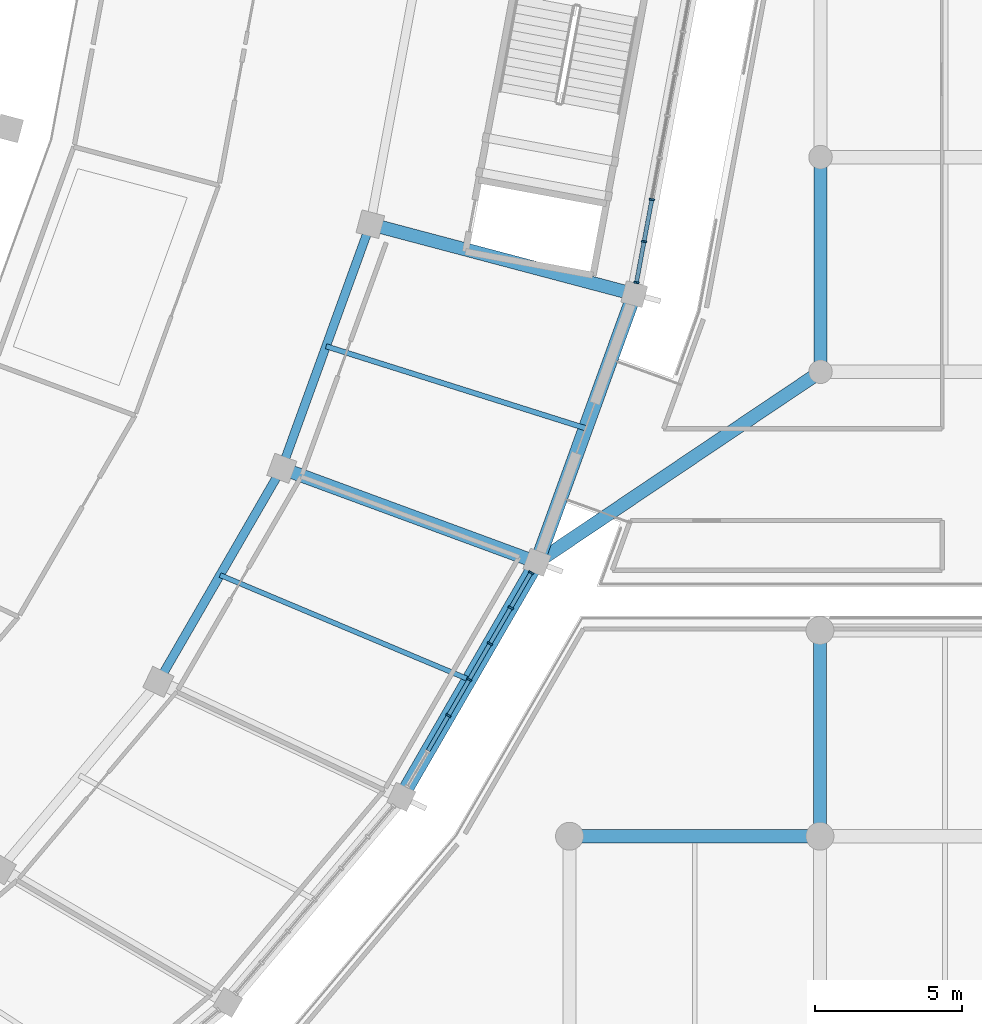
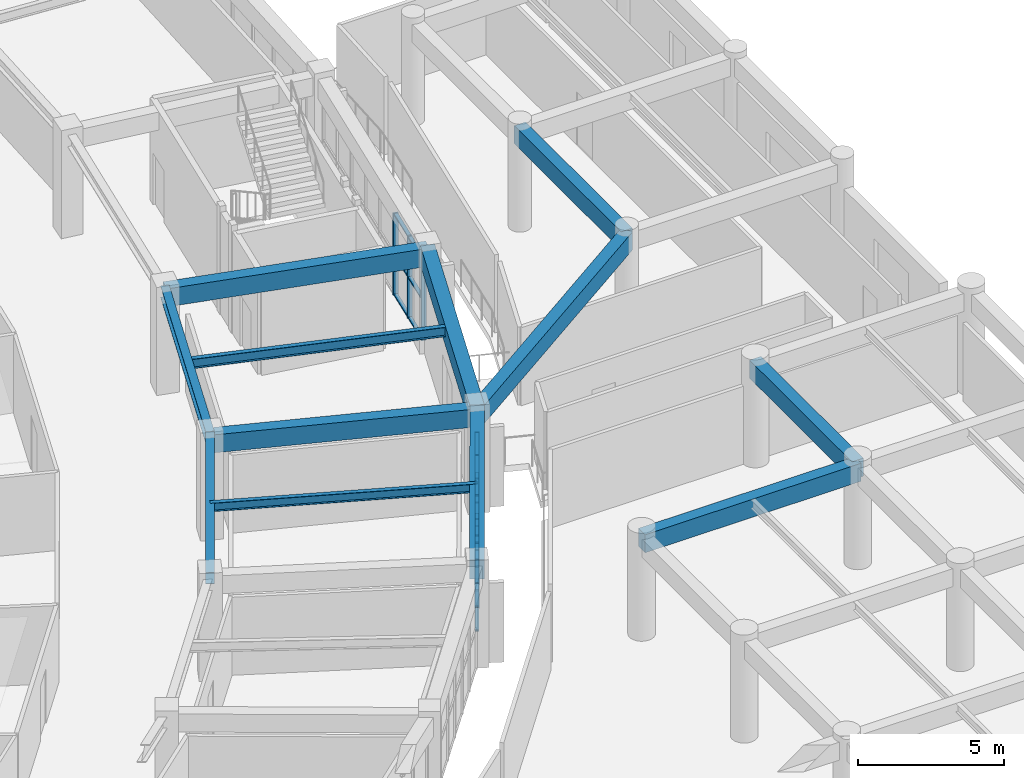
# One storey, part 41 of 141: 29 members, 12 beams, 2 elements without a shape of their own.
"""IFC4 building model written with IfcOpenShell, lengths in metres."""

from ifc_helpers import new_model, si_unit, direction, frame, origin, origin_2d, place, context, subcontext, project, spatial, rectangle, i_section, extrude, material, layer, layer_set, material_profile, profile_set, type_object, element, aggregate, save


model = new_model("IFC4")

# Units and contexts
model_context = context("Model", 3, precision=1e-05, world=origin(), true_north=direction((0.0, 1.0)))
body_context = subcontext(model_context, "Body", "Model", "MODEL_VIEW")
ifc_project = project(units=[si_unit("LENGTHUNIT", "METRE"), si_unit("AREAUNIT", "SQUARE_METRE"), si_unit("VOLUMEUNIT", "CUBIC_METRE"), si_unit("PLANEANGLEUNIT", "RADIAN"), si_unit("MASSUNIT", "GRAM", prefix="KILO")], contexts=[model_context])

# Site, building, storey
site_placement = place(None, origin())
site = spatial("IfcSite", under=ifc_project, at=site_placement, CompositionType="ELEMENT")
building_placement = place(site_placement, origin())
building = spatial("IfcBuilding", under=site, at=building_placement, Name="Mphavela Belvedere Stadium", CompositionType="ELEMENT")
storey_placement = place(building_placement, frame((0.0, 0.0, 14.699951171875)))
storey = spatial("IfcBuildingStorey", under=building, at=storey_placement, Name="L03", CompositionType="ELEMENT", Elevation=14.699951171875)

# Beams
ifc_material_1 = material(Name="Steel S355", Category="steel")
ifc_material_profile_1 = material_profile(ifc_material_1, i_section(OverallWidth=0.169921875, OverallDepth=0.360107421875, WebThickness=0.008056640625, FlangeThickness=0.0126953125, at=origin_2d()), Name="IPE 360")
ifc_profile_set_1 = profile_set([ifc_material_profile_1], Name="Steel S355")
beam_type_1 = type_object("IfcBeamType", Name="BM-JOIST-IPE360", PredefinedType="JOIST", material=ifc_profile_set_1)
beam_1_placement = place(storey_placement, frame((201.07568359375, 50.8837890625, 4.070068359375), z_axis=(0.922108778612, -0.386930743682, 0.0), x_axis=(0.386930743682, 0.922108778612, 0.0)))
element("IfcBeam", 1, at=beam_1_placement, inside=storey, type_object=beam_type_1, Name="Concourse floor joist L03-45", PredefinedType="JOIST", context=body_context, shape_type="SweptSolid", body=[
    extrude(i_section(OverallWidth=0.169921875, OverallDepth=0.360107421875, WebThickness=0.008056640625, FlangeThickness=0.0126953125, at=origin_2d()), origin(), (0.0, 0.0, 1.0), 9.189453125),
])
ifc_material_2 = material(Name="Steel S355", Category="steel")
ifc_material_profile_2 = material_profile(ifc_material_2, i_section(OverallWidth=0.179931640625, OverallDepth=0.39990234375, WebThickness=0.008544921875, FlangeThickness=0.013427734375, at=origin_2d()), Name="IPE 400")
ifc_profile_set_2 = profile_set([ifc_material_profile_2], Name="Steel S355")
beam_type_2 = type_object("IfcBeamType", Name="BM-JOIST-IPE400", PredefinedType="JOIST", material=ifc_profile_set_2)
beam_2_placement = place(storey_placement, frame((204.681640625, 58.6669921875, 4.050048828125), z_axis=(0.953544002003, -0.301253773826, 0.0), x_axis=(0.301253773826, 0.953544002003, 0.0)))
element("IfcBeam", 2, at=beam_2_placement, inside=storey, type_object=beam_type_2, Name="Concourse floor joist L03-46", PredefinedType="JOIST", context=body_context, shape_type="SweptSolid", body=[
    extrude(i_section(OverallWidth=0.179931640625, OverallDepth=0.39990234375, WebThickness=0.008544921875, FlangeThickness=0.013427734375, at=origin_2d()), origin(), (0.0, 0.0, 1.0), 9.259033203125),
])
ifc_material_3 = material(Name="Concrete C40/50", Category="concrete")
ifc_material_profile_3 = material_profile(ifc_material_3, rectangle(XDim=0.449951171875, YDim=0.75, at=origin_2d()), Name="RC 450x750")
ifc_profile_set_3 = profile_set([ifc_material_profile_3], Name="Concrete C40/50")
beam_type_3 = type_object("IfcBeamType", Name="BM-RC450x750", PredefinedType="BEAM", material=ifc_profile_set_3)
beam_3_placement = place(storey_placement, frame((203.175537109375, 54.515625, 3.875), z_axis=(0.938348073025, -0.345691905967, 0.0), x_axis=(0.345691905967, 0.938348073025, 0.0)))
element("IfcBeam", 3, at=beam_3_placement, inside=storey, type_object=beam_type_3, Name="Radial concourse girder L03 R3R4-46", PredefinedType="BEAM", context=body_context, shape_type="SweptSolid", body=[
    extrude(rectangle(XDim=0.449951171875, YDim=0.75, at=origin_2d()), origin(), (0.0, 0.0, 1.0), 9.2509765625),
])
beam_4_placement = place(storey_placement, frame((206.1875, 62.818115234375, 3.875), z_axis=(0.966589609073, -0.256328944196, 0.0), x_axis=(0.256328944196, 0.966589609073, 0.0)))
element("IfcBeam", 4, at=beam_4_placement, inside=storey, type_object=beam_type_3, Name="Radial concourse girder L03 R3R4-47", PredefinedType="BEAM", context=body_context, shape_type="SweptSolid", body=[
    extrude(rectangle(XDim=0.449951171875, YDim=0.75, at=origin_2d()), origin(), (0.0, 0.0, 1.0), 9.287353515625),
])
beam_5_placement = place(storey_placement, frame((212.962890625, 42.0, 3.864990234375), z_axis=(1.0, 0.0, 0.0), x_axis=(0.0, 1.0, 0.0)))
element("IfcBeam", 5, at=beam_5_placement, inside=storey, type_object=beam_type_3, Name="South Axial Triumphal Peristyle Portico entablature beam X L03 26-7", PredefinedType="BEAM", context=body_context, shape_type="SweptSolid", body=[
    extrude(rectangle(XDim=0.449951171875, YDim=0.75, at=origin_2d()), origin(), (0.0, 0.0, 1.0), 8.51806640625),
])
beam_6_placement = place(storey_placement, frame((221.48095703125, 42.0, 3.864990234375), z_axis=(0.0, 1.0, 0.0), x_axis=(-1.0, 0.0, 0.0)))
element("IfcBeam", 6, at=beam_6_placement, inside=storey, type_object=beam_type_3, Name="South Axial Triumphal Peristyle Portico entablature beam Y L03 27-7", PredefinedType="BEAM", context=body_context, shape_type="SweptSolid", body=[
    extrude(rectangle(XDim=0.449951171875, YDim=0.75, at=origin_2d()), origin(), (0.0, 0.0, 1.0), 7.0),
])
beam_7_placement = place(storey_placement, frame((221.5, 57.800048828125, 3.864990234375), z_axis=(0.0, 1.0, 0.0), x_axis=(-1.0, 0.0, 0.0)))
element("IfcBeam", 7, at=beam_7_placement, inside=storey, type_object=beam_type_3, Name="East Planted Eaves Peristyle Colonnade entablature beam Y L03 8-2", PredefinedType="BEAM", context=body_context, shape_type="SweptSolid", body=[
    extrude(rectangle(XDim=0.449951171875, YDim=0.75, at=origin_2d()), origin(), (0.0, 0.0, 1.0), 7.300048828125),
])
beam_8_placement = place(storey_placement, frame((221.5, 57.800048828125, 3.864990234375), z_axis=(-0.82993028647, -0.557867116436, 0.0), x_axis=(0.557867116436, -0.82993028647, 0.0)))
element("IfcBeam", 8, at=beam_8_placement, inside=storey, type_object=beam_type_3, Name="East Planted Eaves Peristyle Colonnade bowl link girder L03-5", PredefinedType="BEAM", context=body_context, shape_type="SweptSolid", body=[
    extrude(rectangle(XDim=0.449951171875, YDim=0.75, at=origin_2d()), origin(), (0.0, 0.0, 1.0), 11.6201171875),
])
ifc_material_4 = material(Name="Concrete C40/50", Category="concrete")
ifc_material_profile_4 = material_profile(ifc_material_4, rectangle(XDim=0.5, YDim=0.800048828125, at=origin_2d()), Name="RC 500x800")
ifc_profile_set_4 = profile_set([ifc_material_profile_4], Name="Concrete C40/50")
beam_type_4 = type_object("IfcBeamType", Name="BM-SPANDREL-800", PredefinedType="SPANDREL", material=ifc_profile_set_4)
beam_9_placement = place(storey_placement, frame((207.242431640625, 43.33837890625, 3.85009765625), z_axis=(0.500565297122, 0.865698783248, 0.0), x_axis=(-0.865698783248, 0.500565297122, 0.0)))
element("IfcBeam", 9, at=beam_9_placement, inside=storey, type_object=beam_type_4, Name="Circumferential girder L03 R4-45", PredefinedType="SPANDREL", context=body_context, shape_type="SweptSolid", body=[
    extrude(rectangle(XDim=0.5, YDim=0.800048828125, at=origin_2d()), origin(), (0.0, 0.0, 1.0), 9.217041015625),
])
beam_10_placement = place(storey_placement, frame((211.856201171875, 51.317626953125, 3.85009765625), z_axis=(0.341017570596, 0.94005692197, 0.0), x_axis=(-0.94005692197, 0.341017570596, 0.0)))
element("IfcBeam", 10, at=beam_10_placement, inside=storey, type_object=beam_type_4, Name="Circumferential girder L03 R4-46", PredefinedType="SPANDREL", context=body_context, shape_type="SweptSolid", body=[
    extrude(rectangle(XDim=0.5, YDim=0.800048828125, at=origin_2d()), origin(), (0.0, 0.0, 1.0), 9.701416015625),
])
ifc_material_5 = material(Name="Steel S355", Category="steel")
ifc_material_profile_5 = material_profile(ifc_material_5, i_section(OverallWidth=0.300048828125, OverallDepth=0.489990234375, WebThickness=0.011962890625, FlangeThickness=0.02294921875, at=origin_2d()), Name="HEA 500")
ifc_profile_set_5 = profile_set([ifc_material_profile_5], Name="Steel S355")
beam_type_5 = type_object("IfcBeamType", Name="BM-STEEL-HEA500", PredefinedType="BEAM", material=ifc_profile_set_5)
beam_11_placement = place(storey_placement, frame((198.9755859375, 47.251708984375, 4.005126953125), z_axis=(0.500547586322, 0.865709023765, 0.0), x_axis=(-0.865709023765, 0.500547586322, 0.0)))
element("IfcBeam", 11, at=beam_11_placement, inside=storey, type_object=beam_type_5, Name="Circumferential girder L03 R3-45", PredefinedType="BEAM", context=body_context, shape_type="SweptSolid", body=[
    extrude(i_section(OverallWidth=0.300048828125, OverallDepth=0.489990234375, WebThickness=0.011962890625, FlangeThickness=0.02294921875, at=origin_2d()), origin(), (0.0, 0.0, 1.0), 8.390625),
])
beam_12_placement = place(storey_placement, frame((203.175537109375, 54.515625, 4.005126953125), z_axis=(0.341030504348, 0.940052229987, 0.0), x_axis=(-0.940052229987, 0.341030504348, 0.0)))
element("IfcBeam", 12, at=beam_12_placement, inside=storey, type_object=beam_type_5, Name="Circumferential girder L03 R3-46", PredefinedType="BEAM", context=body_context, shape_type="SweptSolid", body=[
    extrude(i_section(OverallWidth=0.300048828125, OverallDepth=0.489990234375, WebThickness=0.011962890625, FlangeThickness=0.02294921875, at=origin_2d()), origin(), (0.0, 0.0, 1.0), 8.83203125),
])

# Curtain wall, members
ifc_material_6 = material(Name="Anodised bronze unitised curtain wall framing")
ifc_layer_1 = layer(ifc_material_6, 0.18505859375)
ifc_layer_set_1 = layer_set([ifc_layer_1], Name="Anodised bronze unitised curtain wall framing")
curtain_wall_type_1 = type_object("IfcCurtainWallType", Name="CW-UNIT-02", PredefinedType="USERDEFINED", material=ifc_layer_set_1)
curtain_wall_1_placement = place(storey_placement, origin())
curtain_wall_1 = element("IfcCurtainWall", 13, at=curtain_wall_1_placement, inside=storey, type_object=curtain_wall_type_1, Name="Belvedere colonnade curtain wall L03-45", ObjectType="UNITISED CURTAIN WALL", PredefinedType="USERDEFINED")
ifc_material_7 = material(Name="Anodised bronze extruded aluminium", Category="aluminium")
ifc_material_profile_6 = material_profile(ifc_material_7, rectangle(XDim=0.179931640625, YDim=0.06494140625, at=origin_2d()), Name="CW-MUL 180x65")
ifc_profile_set_6 = profile_set([ifc_material_profile_6], Name="Anodised bronze extruded aluminium")
member_type_1 = type_object("IfcMemberType", Name="CWM-180x65", PredefinedType="MULLION", material=ifc_profile_set_6)
member_1_placement = place(storey_placement, frame((208.842529296875, 46.10595703125, 0.0), z_axis=(0.0, 0.0, 1.0), x_axis=(-0.865705257789, 0.50055409961, 0.0)))
member_1 = element("IfcMember", 14, at=member_1_placement, type_object=member_type_1, Name="CW-02 mullion 3", PredefinedType="MULLION", context=body_context, shape_type="SweptSolid", body=[
    extrude(rectangle(XDim=0.179931640625, YDim=0.06494140625, at=origin_2d()), origin(), (0.0, 0.0, 1.0), 3.420166015625),
])
member_2_placement = place(storey_placement, frame((209.54931640625, 47.328125, 0.0), z_axis=(0.0, 0.0, 1.0), x_axis=(-0.865705257789, 0.50055409961, 0.0)))
member_2 = element("IfcMember", 15, at=member_2_placement, type_object=member_type_1, Name="CW-02 mullion 4", PredefinedType="MULLION", context=body_context, shape_type="SweptSolid", body=[
    extrude(rectangle(XDim=0.179931640625, YDim=0.06494140625, at=origin_2d()), origin(), (0.0, 0.0, 1.0), 3.420166015625),
])
member_3_placement = place(storey_placement, frame((210.256103515625, 48.55029296875, 0.0), z_axis=(0.0, 0.0, 1.0), x_axis=(-0.865705257789, 0.50055409961, 0.0)))
member_3 = element("IfcMember", 16, at=member_3_placement, type_object=member_type_1, Name="CW-02 mullion 5", PredefinedType="MULLION", context=body_context, shape_type="SweptSolid", body=[
    extrude(rectangle(XDim=0.179931640625, YDim=0.06494140625, at=origin_2d()), origin(), (0.0, 0.0, 1.0), 3.420166015625),
])
member_4_placement = place(storey_placement, frame((210.962646484375, 49.7724609375, 0.0), z_axis=(0.0, 0.0, 1.0), x_axis=(-0.865705257789, 0.50055409961, 0.0)))
member_4 = element("IfcMember", 17, at=member_4_placement, type_object=member_type_1, Name="CW-02 mullion 6", PredefinedType="MULLION", context=body_context, shape_type="SweptSolid", body=[
    extrude(rectangle(XDim=0.179931640625, YDim=0.06494140625, at=origin_2d()), origin(), (0.0, 0.0, 1.0), 3.420166015625),
])
member_5_placement = place(storey_placement, frame((211.653076171875, 50.966552734375, 0.0), z_axis=(0.0, 0.0, 1.0), x_axis=(-0.865705257789, 0.50055409961, 0.0)))
member_5 = element("IfcMember", 18, at=member_5_placement, type_object=member_type_1, Name="CW-02 mullion 7", PredefinedType="MULLION", context=body_context, shape_type="SweptSolid", body=[
    extrude(rectangle(XDim=0.179931640625, YDim=0.06494140625, at=origin_2d()), origin(), (0.0, 0.0, 1.0), 3.420166015625),
])

ifc_material_8 = material(Name="Anodised bronze unitised curtain wall framing")
ifc_layer_2 = layer(ifc_material_8, 0.18994140625)
ifc_layer_set_2 = layer_set([ifc_layer_2], Name="Anodised bronze unitised curtain wall framing")
curtain_wall_type_2 = type_object("IfcCurtainWallType", Name="CW-UNIT-03", PredefinedType="USERDEFINED", material=ifc_layer_set_2)
curtain_wall_2_placement = place(storey_placement, origin())
curtain_wall_2 = element("IfcCurtainWall", 19, at=curtain_wall_2_placement, inside=storey, type_object=curtain_wall_type_2, Name="Belvedere colonnade curtain wall L03-47", ObjectType="UNITISED CURTAIN WALL", PredefinedType="USERDEFINED")
member_6_placement = place(storey_placement, frame((215.238525390625, 60.836181640625, 0.0), z_axis=(0.0, 0.0, 1.0), x_axis=(-0.983181487142, 0.182631222254, 0.0)))
member_6 = element("IfcMember", 20, at=member_6_placement, type_object=member_type_1, Name="CW-03 mullion 1", PredefinedType="MULLION", context=body_context, shape_type="SweptSolid", body=[
    extrude(rectangle(XDim=0.179931640625, YDim=0.06494140625, at=origin_2d()), origin(), (0.0, 0.0, 1.0), 3.420166015625),
])
member_7_placement = place(storey_placement, frame((215.49755859375, 62.23046875, 0.0), z_axis=(0.0, 0.0, 1.0), x_axis=(-0.983181487142, 0.182631222254, 0.0)))
member_7 = element("IfcMember", 21, at=member_7_placement, type_object=member_type_1, Name="CW-03 mullion 2", PredefinedType="MULLION", context=body_context, shape_type="SweptSolid", body=[
    extrude(rectangle(XDim=0.179931640625, YDim=0.06494140625, at=origin_2d()), origin(), (0.0, 0.0, 1.0), 3.420166015625),
])
member_8_placement = place(storey_placement, frame((215.7626953125, 63.65673828125, 0.0), z_axis=(0.0, 0.0, 1.0), x_axis=(-0.983181487142, 0.182631222254, 0.0)))
member_8 = element("IfcMember", 22, at=member_8_placement, type_object=member_type_1, Name="CW-03 mullion 3", PredefinedType="MULLION", context=body_context, shape_type="SweptSolid", body=[
    extrude(rectangle(XDim=0.179931640625, YDim=0.06494140625, at=origin_2d()), origin(), (0.0, 0.0, 1.0), 3.420166015625),
])

# Member
ifc_material_9 = material(Name="Anodised bronze extruded aluminium", Category="aluminium")
ifc_material_profile_7 = material_profile(ifc_material_9, rectangle(XDim=0.139892578125, YDim=0.06005859375, at=origin_2d()), Name="CW-TRN 140x60")
ifc_profile_set_7 = profile_set([ifc_material_profile_7], Name="Anodised bronze extruded aluminium")
member_type_2 = type_object("IfcMemberType", Name="CWT-140x60", PredefinedType="USERDEFINED", material=ifc_profile_set_7)
member_9_placement = place(storey_placement, frame((208.152099609375, 44.911865234375, 0.030029296875), z_axis=(0.500700372519, 0.865620665742, 0.0), x_axis=(-0.865620665742, 0.500700372519, 0.0)))
member_9 = element("IfcMember", 23, at=member_9_placement, type_object=member_type_2, Name="CW-02 transom 2.1", ObjectType="TRANSOM", PredefinedType="USERDEFINED", context=body_context, shape_type="SweptSolid", body=[
    extrude(rectangle(XDim=0.139892578125, YDim=0.06005859375, at=origin_2d()), origin(), (0.0, 0.0, 1.0), 1.3466796875),
])

member_10_placement = place(storey_placement, frame((208.152099609375, 44.911865234375, 1.7099609375), z_axis=(0.500700372519, 0.865620665742, 0.0), x_axis=(-0.865620665742, 0.500700372519, 0.0)))
member_10 = element("IfcMember", 24, at=member_10_placement, type_object=member_type_2, Name="CW-02 transom 2.2", ObjectType="TRANSOM", PredefinedType="USERDEFINED", context=body_context, shape_type="SweptSolid", body=[
    extrude(rectangle(XDim=0.139892578125, YDim=0.06005859375, at=origin_2d()), origin(), (0.0, 0.0, 1.0), 1.3466796875),
])

member_11_placement = place(storey_placement, frame((208.152099609375, 44.911865234375, 3.39013671875), z_axis=(0.500700372519, 0.865620665742, 0.0), x_axis=(-0.865620665742, 0.500700372519, 0.0)))
member_11 = element("IfcMember", 25, at=member_11_placement, type_object=member_type_2, Name="CW-02 transom 2.3", ObjectType="TRANSOM", PredefinedType="USERDEFINED", context=body_context, shape_type="SweptSolid", body=[
    extrude(rectangle(XDim=0.139892578125, YDim=0.06005859375, at=origin_2d()), origin(), (0.0, 0.0, 1.0), 1.3466796875),
])

member_12_placement = place(storey_placement, frame((208.85888671875, 46.134033203125, 0.030029296875), z_axis=(0.500485966498, 0.865744649038, 0.0), x_axis=(-0.865744649038, 0.500485966498, 0.0)))
member_12 = element("IfcMember", 26, at=member_12_placement, type_object=member_type_2, Name="CW-02 transom 3.1", ObjectType="TRANSOM", PredefinedType="USERDEFINED", context=body_context, shape_type="SweptSolid", body=[
    extrude(rectangle(XDim=0.139892578125, YDim=0.06005859375, at=origin_2d()), origin(), (0.0, 0.0, 1.0), 1.346923828125),
])

member_13_placement = place(storey_placement, frame((208.85888671875, 46.134033203125, 1.7099609375), z_axis=(0.500485966498, 0.865744649038, 0.0), x_axis=(-0.865744649038, 0.500485966498, 0.0)))
member_13 = element("IfcMember", 27, at=member_13_placement, type_object=member_type_2, Name="CW-02 transom 3.2", ObjectType="TRANSOM", PredefinedType="USERDEFINED", context=body_context, shape_type="SweptSolid", body=[
    extrude(rectangle(XDim=0.139892578125, YDim=0.06005859375, at=origin_2d()), origin(), (0.0, 0.0, 1.0), 1.346923828125),
])

member_14_placement = place(storey_placement, frame((208.85888671875, 46.134033203125, 3.39013671875), z_axis=(0.500485966498, 0.865744649038, 0.0), x_axis=(-0.865744649038, 0.500485966498, 0.0)))
member_14 = element("IfcMember", 28, at=member_14_placement, type_object=member_type_2, Name="CW-02 transom 3.3", ObjectType="TRANSOM", PredefinedType="USERDEFINED", context=body_context, shape_type="SweptSolid", body=[
    extrude(rectangle(XDim=0.139892578125, YDim=0.06005859375, at=origin_2d()), origin(), (0.0, 0.0, 1.0), 1.346923828125),
])

member_15_placement = place(storey_placement, frame((209.565673828125, 47.356201171875, 0.030029296875), z_axis=(0.500485966498, 0.865744649038, 0.0), x_axis=(-0.865744649038, 0.500485966498, 0.0)))
member_15 = element("IfcMember", 29, at=member_15_placement, type_object=member_type_2, Name="CW-02 transom 4.1", ObjectType="TRANSOM", PredefinedType="USERDEFINED", context=body_context, shape_type="SweptSolid", body=[
    extrude(rectangle(XDim=0.139892578125, YDim=0.06005859375, at=origin_2d()), origin(), (0.0, 0.0, 1.0), 1.346923828125),
])

member_16_placement = place(storey_placement, frame((209.565673828125, 47.356201171875, 1.7099609375), z_axis=(0.500485966498, 0.865744649038, 0.0), x_axis=(-0.865744649038, 0.500485966498, 0.0)))
member_16 = element("IfcMember", 30, at=member_16_placement, type_object=member_type_2, Name="CW-02 transom 4.2", ObjectType="TRANSOM", PredefinedType="USERDEFINED", context=body_context, shape_type="SweptSolid", body=[
    extrude(rectangle(XDim=0.139892578125, YDim=0.06005859375, at=origin_2d()), origin(), (0.0, 0.0, 1.0), 1.346923828125),
])

member_17_placement = place(storey_placement, frame((209.565673828125, 47.356201171875, 3.39013671875), z_axis=(0.500485966498, 0.865744649038, 0.0), x_axis=(-0.865744649038, 0.500485966498, 0.0)))
member_17 = element("IfcMember", 31, at=member_17_placement, type_object=member_type_2, Name="CW-02 transom 4.3", ObjectType="TRANSOM", PredefinedType="USERDEFINED", context=body_context, shape_type="SweptSolid", body=[
    extrude(rectangle(XDim=0.139892578125, YDim=0.06005859375, at=origin_2d()), origin(), (0.0, 0.0, 1.0), 1.346923828125),
])

member_18_placement = place(storey_placement, frame((210.272216796875, 48.578369140625, 0.030029296875), z_axis=(0.500621812239, 0.865666102554, 0.0), x_axis=(-0.865666102554, 0.500621812239, 0.0)))
member_18 = element("IfcMember", 32, at=member_18_placement, type_object=member_type_2, Name="CW-02 transom 5.1", ObjectType="TRANSOM", PredefinedType="USERDEFINED", context=body_context, shape_type="SweptSolid", body=[
    extrude(rectangle(XDim=0.139892578125, YDim=0.06005859375, at=origin_2d()), origin(), (0.0, 0.0, 1.0), 1.346923828125),
])

member_19_placement = place(storey_placement, frame((210.272216796875, 48.578369140625, 1.7099609375), z_axis=(0.500621812239, 0.865666102554, 0.0), x_axis=(-0.865666102554, 0.500621812239, 0.0)))
member_19 = element("IfcMember", 33, at=member_19_placement, type_object=member_type_2, Name="CW-02 transom 5.2", ObjectType="TRANSOM", PredefinedType="USERDEFINED", context=body_context, shape_type="SweptSolid", body=[
    extrude(rectangle(XDim=0.139892578125, YDim=0.06005859375, at=origin_2d()), origin(), (0.0, 0.0, 1.0), 1.346923828125),
])

member_20_placement = place(storey_placement, frame((210.272216796875, 48.578369140625, 3.39013671875), z_axis=(0.500621812239, 0.865666102554, 0.0), x_axis=(-0.865666102554, 0.500621812239, 0.0)))
member_20 = element("IfcMember", 34, at=member_20_placement, type_object=member_type_2, Name="CW-02 transom 5.3", ObjectType="TRANSOM", PredefinedType="USERDEFINED", context=body_context, shape_type="SweptSolid", body=[
    extrude(rectangle(XDim=0.139892578125, YDim=0.06005859375, at=origin_2d()), origin(), (0.0, 0.0, 1.0), 1.346923828125),
])

member_21_placement = place(storey_placement, frame((210.97900390625, 49.80078125, 0.030029296875), z_axis=(0.500633471094, 0.865659360037, 0.0), x_axis=(-0.865659360037, 0.500633471094, 0.0)))
member_21 = element("IfcMember", 35, at=member_21_placement, type_object=member_type_2, Name="CW-02 transom 6.1", ObjectType="TRANSOM", PredefinedType="USERDEFINED", context=body_context, shape_type="SweptSolid", body=[
    extrude(rectangle(XDim=0.139892578125, YDim=0.06005859375, at=origin_2d()), origin(), (0.0, 0.0, 1.0), 1.314208984375),
])

member_22_placement = place(storey_placement, frame((210.97900390625, 49.80078125, 1.7099609375), z_axis=(0.500633471094, 0.865659360037, 0.0), x_axis=(-0.865659360037, 0.500633471094, 0.0)))
member_22 = element("IfcMember", 36, at=member_22_placement, type_object=member_type_2, Name="CW-02 transom 6.2", ObjectType="TRANSOM", PredefinedType="USERDEFINED", context=body_context, shape_type="SweptSolid", body=[
    extrude(rectangle(XDim=0.139892578125, YDim=0.06005859375, at=origin_2d()), origin(), (0.0, 0.0, 1.0), 1.314208984375),
])

member_23_placement = place(storey_placement, frame((210.97900390625, 49.80078125, 3.39013671875), z_axis=(0.500633471094, 0.865659360037, 0.0), x_axis=(-0.865659360037, 0.500633471094, 0.0)))
member_23 = element("IfcMember", 37, at=member_23_placement, type_object=member_type_2, Name="CW-02 transom 6.3", ObjectType="TRANSOM", PredefinedType="USERDEFINED", context=body_context, shape_type="SweptSolid", body=[
    extrude(rectangle(XDim=0.139892578125, YDim=0.06005859375, at=origin_2d()), origin(), (0.0, 0.0, 1.0), 1.314208984375),
])

aggregate(curtain_wall_1, [member_1, member_2, member_3, member_4, member_5, member_9, member_10, member_11, member_12, member_13, member_14, member_15, member_16, member_17, member_18, member_19, member_20, member_21, member_22, member_23])

member_24_placement = place(storey_placement, frame((215.24462890625, 60.8681640625, 0.030029296875), z_axis=(0.182599668928, 0.983187347817, 0.0), x_axis=(-0.983187347817, 0.182599668928, 0.0)))
member_24 = element("IfcMember", 38, at=member_24_placement, type_object=member_type_2, Name="CW-03 transom 1.1", ObjectType="TRANSOM", PredefinedType="USERDEFINED", context=body_context, shape_type="SweptSolid", body=[
    extrude(rectangle(XDim=0.139892578125, YDim=0.06005859375, at=origin_2d()), origin(), (0.0, 0.0, 1.0), 1.35302734375),
])

member_25_placement = place(storey_placement, frame((215.24462890625, 60.8681640625, 1.7099609375), z_axis=(0.182599668928, 0.983187347817, 0.0), x_axis=(-0.983187347817, 0.182599668928, 0.0)))
member_25 = element("IfcMember", 39, at=member_25_placement, type_object=member_type_2, Name="CW-03 transom 1.2", ObjectType="TRANSOM", PredefinedType="USERDEFINED", context=body_context, shape_type="SweptSolid", body=[
    extrude(rectangle(XDim=0.139892578125, YDim=0.06005859375, at=origin_2d()), origin(), (0.0, 0.0, 1.0), 1.35302734375),
])

member_26_placement = place(storey_placement, frame((215.24462890625, 60.8681640625, 3.39013671875), z_axis=(0.182599668928, 0.983187347817, 0.0), x_axis=(-0.983187347817, 0.182599668928, 0.0)))
member_26 = element("IfcMember", 40, at=member_26_placement, type_object=member_type_2, Name="CW-03 transom 1.3", ObjectType="TRANSOM", PredefinedType="USERDEFINED", context=body_context, shape_type="SweptSolid", body=[
    extrude(rectangle(XDim=0.139892578125, YDim=0.06005859375, at=origin_2d()), origin(), (0.0, 0.0, 1.0), 1.35302734375),
])

member_27_placement = place(storey_placement, frame((215.503662109375, 62.262451171875, 0.030029296875), z_axis=(0.182543529101, 0.983197772568, 0.0), x_axis=(-0.983197772568, 0.182543529101, 0.0)))
member_27 = element("IfcMember", 41, at=member_27_placement, type_object=member_type_2, Name="CW-03 transom 2.1", ObjectType="TRANSOM", PredefinedType="USERDEFINED", context=body_context, shape_type="SweptSolid", body=[
    extrude(rectangle(XDim=0.139892578125, YDim=0.06005859375, at=origin_2d()), origin(), (0.0, 0.0, 1.0), 1.385498046875),
])

member_28_placement = place(storey_placement, frame((215.503662109375, 62.262451171875, 1.7099609375), z_axis=(0.182543529101, 0.983197772568, 0.0), x_axis=(-0.983197772568, 0.182543529101, 0.0)))
member_28 = element("IfcMember", 42, at=member_28_placement, type_object=member_type_2, Name="CW-03 transom 2.2", ObjectType="TRANSOM", PredefinedType="USERDEFINED", context=body_context, shape_type="SweptSolid", body=[
    extrude(rectangle(XDim=0.139892578125, YDim=0.06005859375, at=origin_2d()), origin(), (0.0, 0.0, 1.0), 1.385498046875),
])

member_29_placement = place(storey_placement, frame((215.503662109375, 62.262451171875, 3.39013671875), z_axis=(0.182543529101, 0.983197772568, 0.0), x_axis=(-0.983197772568, 0.182543529101, 0.0)))
member_29 = element("IfcMember", 43, at=member_29_placement, type_object=member_type_2, Name="CW-03 transom 2.3", ObjectType="TRANSOM", PredefinedType="USERDEFINED", context=body_context, shape_type="SweptSolid", body=[
    extrude(rectangle(XDim=0.139892578125, YDim=0.06005859375, at=origin_2d()), origin(), (0.0, 0.0, 1.0), 1.385498046875),
])

aggregate(curtain_wall_2, [member_6, member_7, member_8, member_24, member_25, member_26, member_27, member_28, member_29])

save(model, "model.ifc")
